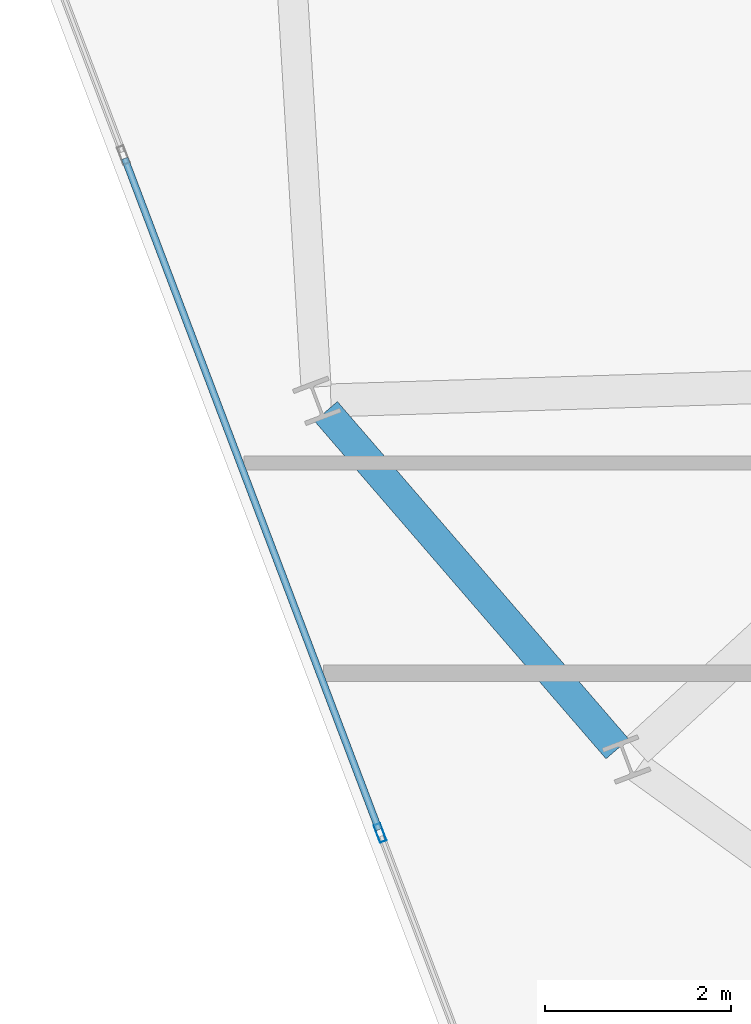
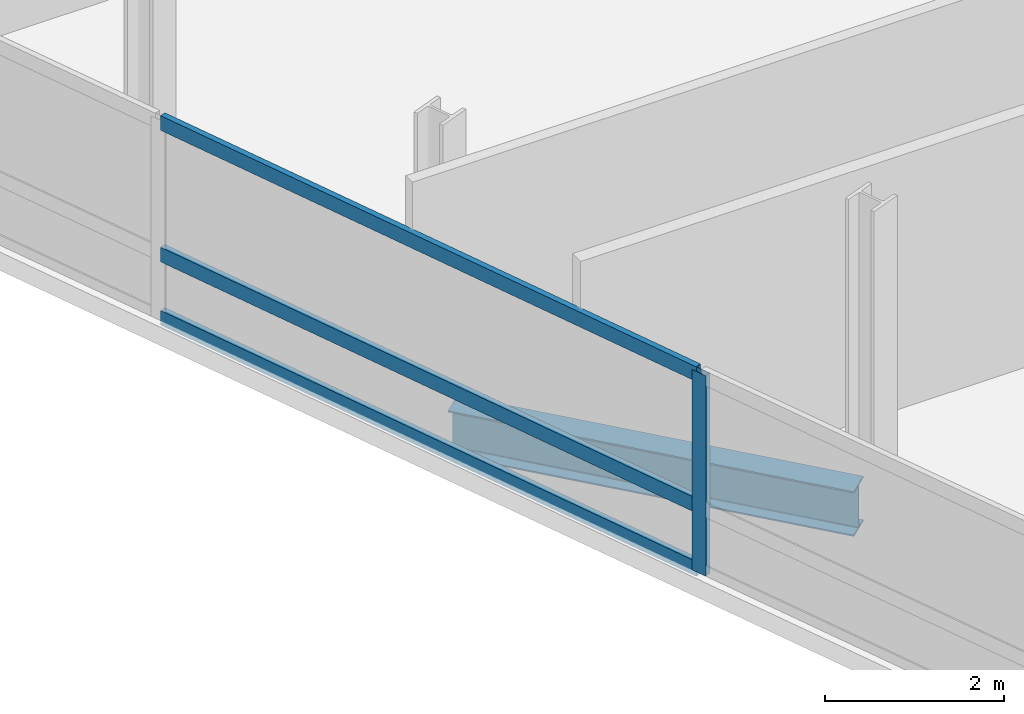
# One storey, part 7 of 23: 4 members, 1 beam, 1 element without a shape of its own.
"""IFC4 building model written with IfcOpenShell, lengths in metres."""

from ifc_helpers import new_model, si_unit, direction, frame, origin, origin_2d, place, context, subcontext, project, spatial, hollow_rectangle, i_section, extrude, material, layer, layer_set, material_profile, profile_set, type_object, element, aggregate, save


model = new_model("IFC4")

# Units and contexts
model_context = context("Model", 3, precision=1e-05, world=origin(), true_north=direction((0.0, 1.0)))
body_context = subcontext(model_context, "Body", "Model", "MODEL_VIEW")
ifc_project = project(units=[si_unit("LENGTHUNIT", "METRE"), si_unit("AREAUNIT", "SQUARE_METRE"), si_unit("VOLUMEUNIT", "CUBIC_METRE"), si_unit("PLANEANGLEUNIT", "RADIAN"), si_unit("MASSUNIT", "GRAM", prefix="KILO")], contexts=[model_context])

# Site, building, storey
site_placement = place(None, origin())
site = spatial("IfcSite", under=ifc_project, at=site_placement, CompositionType="ELEMENT")
building_placement = place(site_placement, origin())
building = spatial("IfcBuilding", under=site, at=building_placement, Name="Varnelok Gate Tower", CompositionType="ELEMENT")
storey_placement = place(building_placement, frame((0.0, 0.0, 227.5)))
storey = spatial("IfcBuildingStorey", under=building, at=storey_placement, Name="L58", CompositionType="ELEMENT", Elevation=227.5)

# Beam
ifc_material_1 = material(Name="Structural Steel ASTM A992 Grade 50", Category="steel")
ifc_material_profile_1 = material_profile(ifc_material_1, i_section(OverallWidth=0.323974609375, OverallDepth=0.611083984375, WebThickness=0.0126953125, FlangeThickness=0.01904296875, FilletRadius=0.01806640625, at=origin_2d()), Name="W24X104")
ifc_profile_set_1 = profile_set([ifc_material_profile_1], Name="Structural Steel ASTM A992 Grade 50")
beam_type = type_object("IfcBeamType", Name="BM-SPN-W24X104", PredefinedType="SPANDREL", material=ifc_profile_set_1)
beam_placement = place(storey_placement, frame((7.79248046875, 18.1669921875, -0.555419921875), z_axis=(0.653484787698, -0.756939649013, 0.0), x_axis=(0.756939649013, 0.653484787698, 0.0)))
element("IfcBeam", 1, at=beam_placement, inside=storey, type_object=beam_type, Name="L58 Perimeter Spandrel Beam 15", PredefinedType="SPANDREL", context=body_context, shape_type="SweptSolid", body=[
    extrude(i_section(OverallWidth=0.323974609375, OverallDepth=0.611083984375, WebThickness=0.0126953125, FlangeThickness=0.01904296875, FilletRadius=0.01806640625, at=origin_2d()), origin(), (0.0, 0.0, 1.0), 4.800048828125),
])

# Curtain wall, members
ifc_material_2 = material(Name="Anodized Aluminum Alloy 6063-T6", Category="aluminium")
ifc_layer = layer(ifc_material_2, 0.179931640625)
ifc_layer_set = layer_set([ifc_layer], Name="Anodized Aluminum Alloy 6063-T6")
curtain_wall_type = type_object("IfcCurtainWallType", Name="CW4-RESIDENCE-VISION", PredefinedType="USERDEFINED", material=ifc_layer_set)
curtain_wall_placement = place(storey_placement, origin())
curtain_wall = element("IfcCurtainWall", 2, at=curtain_wall_placement, inside=storey, type_object=curtain_wall_type, Name="L58 West End Vision Curtain Wall", ObjectType="UNITISED CURTAIN WALL", PredefinedType="USERDEFINED")
ifc_material_profile_2 = material_profile(ifc_material_2, hollow_rectangle(XDim=0.074951171875, YDim=0.199951171875, WallThickness=0.00390625, at=origin_2d()), Name="ALU200X75X4")
ifc_profile_set_2 = profile_set([ifc_material_profile_2], Name="Anodized Aluminum Alloy 6063-T6")
member_type_1 = type_object("IfcMemberType", Name="CW-MULL-200", PredefinedType="MULLION", material=ifc_profile_set_2)
member_1_placement = place(storey_placement, frame((8.375, 13.630126953125, 0.0), z_axis=(0.0, 0.0, 1.0), x_axis=(-0.935221557832, -0.354063042079, 0.0)))
member_1 = element("IfcMember", 3, at=member_1_placement, type_object=member_type_1, Name="CW4 mullion 3", PredefinedType="MULLION", context=body_context, shape_type="SweptSolid", body=[
    extrude(hollow_rectangle(XDim=0.074951171875, YDim=0.199951171875, WallThickness=0.00390625, at=origin_2d()), origin(), (0.0, 0.0, 1.0), 2.72998046875),
])
ifc_material_profile_3 = material_profile(ifc_material_2, hollow_rectangle(XDim=0.074951171875, YDim=0.199951171875, WallThickness=0.00390625, at=origin_2d()), Name="ALU200X75X4")
ifc_profile_set_3 = profile_set([ifc_material_profile_3], Name="Anodized Aluminum Alloy 6063-T6")
member_type_2 = type_object("IfcMemberType", Name="CW-TRAN-200", PredefinedType="USERDEFINED", material=ifc_profile_set_3)
member_2_placement = place(storey_placement, frame((8.36181640625, 13.665283203125, 0.03759765625), z_axis=(-0.354058714128, 0.935223196328, 0.0), x_axis=(-0.935223196328, -0.354058714128, 0.0)))
member_2 = element("IfcMember", 4, at=member_2_placement, type_object=member_type_2, Name="CW4 transom 3.1", ObjectType="TRANSOM", PredefinedType="USERDEFINED", context=body_context, shape_type="SweptSolid", body=[
    extrude(hollow_rectangle(XDim=0.074951171875, YDim=0.199951171875, WallThickness=0.00390625, at=origin_2d()), origin(), (0.0, 0.0, 1.0), 7.72509765625),
])
member_3_placement = place(storey_placement, frame((8.36181640625, 13.665283203125, 0.89990234375), z_axis=(-0.354058714128, 0.935223196328, 0.0), x_axis=(-0.935223196328, -0.354058714128, 0.0)))
member_3 = element("IfcMember", 5, at=member_3_placement, type_object=member_type_2, Name="CW4 transom 3.2", ObjectType="TRANSOM", PredefinedType="USERDEFINED", context=body_context, shape_type="SweptSolid", body=[
    extrude(hollow_rectangle(XDim=0.074951171875, YDim=0.199951171875, WallThickness=0.00390625, at=origin_2d()), origin(), (0.0, 0.0, 1.0), 7.72509765625),
])
member_4_placement = place(storey_placement, frame((8.36181640625, 13.665283203125, 2.6923828125), z_axis=(-0.354058714128, 0.935223196328, 0.0), x_axis=(-0.935223196328, -0.354058714128, 0.0)))
member_4 = element("IfcMember", 6, at=member_4_placement, type_object=member_type_2, Name="CW4 transom 3.3", ObjectType="TRANSOM", PredefinedType="USERDEFINED", context=body_context, shape_type="SweptSolid", body=[
    extrude(hollow_rectangle(XDim=0.074951171875, YDim=0.199951171875, WallThickness=0.00390625, at=origin_2d()), origin(), (0.0, 0.0, 1.0), 7.72509765625),
])
aggregate(curtain_wall, [member_1, member_2, member_3, member_4])

save(model, "model.ifc")
